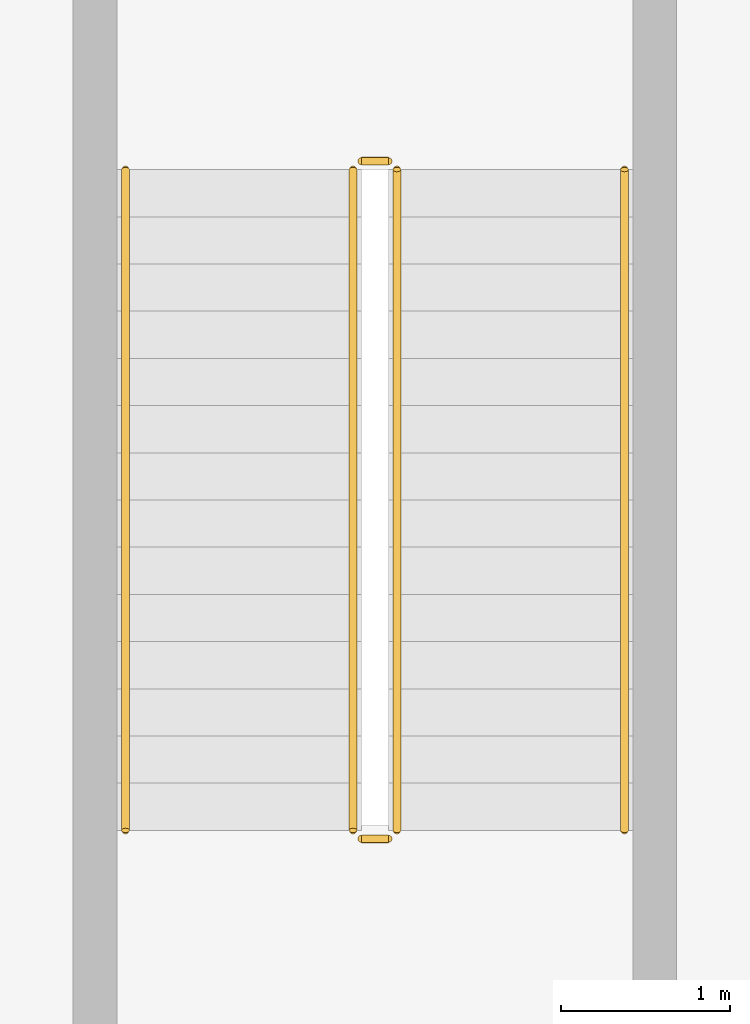
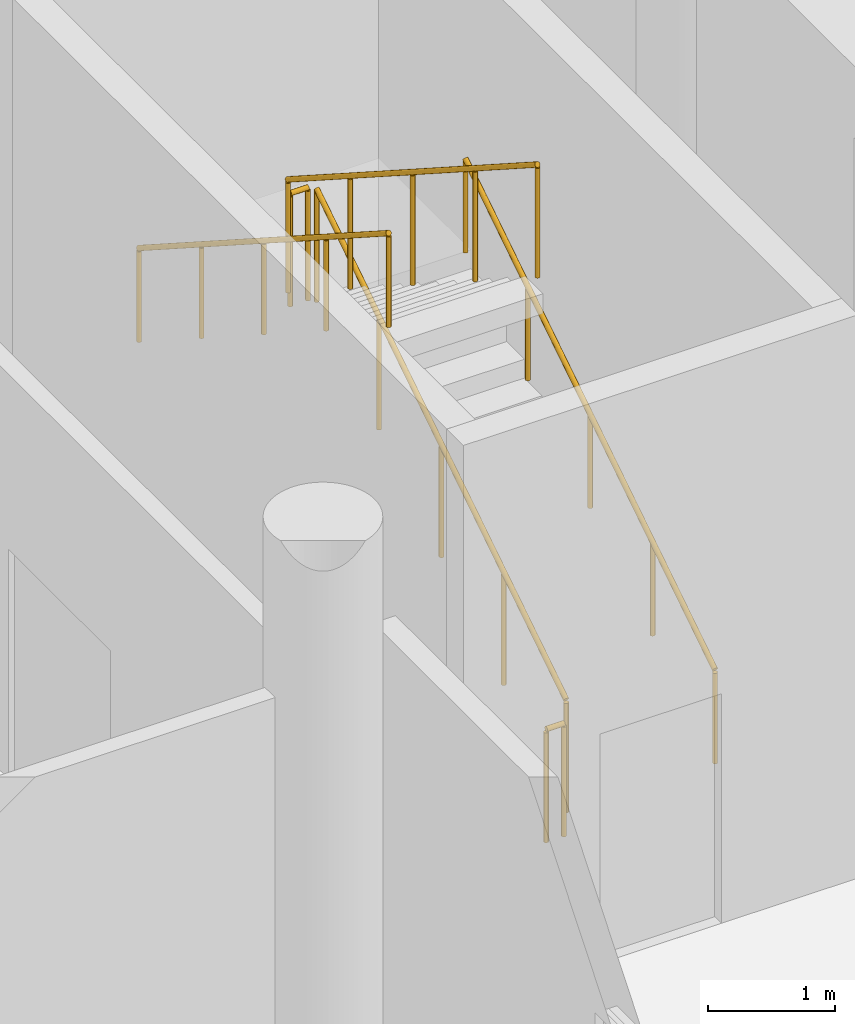
# One storey, part 33 of 42: 6 railings.
"""IFC4 building model written with IfcOpenShell, lengths in metres."""

from ifc_helpers import new_model, si_unit, direction, frame, origin, origin_2d, place, context, subcontext, project, spatial, circle, extrude, material, type_object, element, save


model = new_model("IFC4")

# Units and contexts
model_context = context("Model", 3, precision=1e-05, world=origin(), true_north=direction((0.0, 1.0)))
body_context = subcontext(model_context, "Body", "Model", "MODEL_VIEW")
ifc_project = project(units=[si_unit("LENGTHUNIT", "METRE"), si_unit("AREAUNIT", "SQUARE_METRE"), si_unit("VOLUMEUNIT", "CUBIC_METRE"), si_unit("PLANEANGLEUNIT", "RADIAN"), si_unit("MASSUNIT", "GRAM", prefix="KILO")], contexts=[model_context])

# Site, building, storey
site_placement = place(None, origin())
site = spatial("IfcSite", under=ifc_project, at=site_placement, CompositionType="ELEMENT")
building_placement = place(site_placement, origin())
building = spatial("IfcBuilding", under=site, at=building_placement, Name="Pecanmere Concourse Central Library", CompositionType="ELEMENT")
storey_placement = place(building_placement, origin())
storey = spatial("IfcBuildingStorey", under=building, at=storey_placement, Name="L01", CompositionType="ELEMENT", Elevation=0.0)

# Railings
ifc_material_1 = material(Name="Painted architectural steel ASTM A36", Category="steel")
railing_type_1 = type_object("IfcRailingType", Name="RAIL_STAIR_GUARD", PredefinedType="GUARDRAIL", material=ifc_material_1)
railing_1_placement = place(storey_placement, frame((43.360107421875, 10.0, 0.179931640625)))
element("IfcRailing", 1, at=railing_1_placement, inside=storey, type_object=railing_type_1, Name="L01 ST-07 Guard 1", PredefinedType="GUARDRAIL", context=body_context, shape_type="SweptSolid", body=[
    extrude(circle(Radius=0.02392578125, at=origin_2d()), frame((0.0, 0.0, 1.076171875), z_axis=(0.0, 0.841171666519, 0.540768182723), x_axis=(-1.0, 0.0, 0.0)), (0.0, 0.0, 1.0), 4.66015625),
    extrude(circle(Radius=0.02099609375, at=origin_2d()), origin(), (0.0, 0.0, 1.0), 1.052001953125),
    extrude(circle(Radius=0.02099609375, at=origin_2d()), frame((0.0, 0.97998046875, 0.6298828125)), (0.0, 0.0, 1.0), 1.052001953125),
    extrude(circle(Radius=0.02099609375, at=origin_2d()), frame((0.0, 1.9599609375, 1.260009765625)), (0.0, 0.0, 1.0), 1.052001953125),
    extrude(circle(Radius=0.02099609375, at=origin_2d()), frame((0.0, 2.93994140625, 1.89013671875)), (0.0, 0.0, 1.0), 1.052001953125),
    extrude(circle(Radius=0.02099609375, at=origin_2d()), frame((0.0, 3.919921875, 2.52001953125)), (0.0, 0.0, 1.0), 1.052001953125),
])
railing_2_placement = place(storey_placement, frame((43.31005859375, 13.969970703125, 2.699951171875)))
element("IfcRailing", 2, at=railing_2_placement, inside=storey, type_object=railing_type_1, Name="L01 ST-07 Guard 2", PredefinedType="GUARDRAIL", context=body_context, shape_type="SweptSolid", body=[
    extrude(circle(Radius=0.02392578125, at=origin_2d()), frame((0.0, 0.0, 1.076171875), z_axis=(-1.0, 0.0, 0.0), x_axis=(0.0, -1.0, 0.0)), (0.0, 0.0, 1.0), 0.16015625),
    extrude(circle(Radius=0.02099609375, at=origin_2d()), origin(), (0.0, 0.0, 1.0), 1.052001953125),
    extrude(circle(Radius=0.02099609375, at=origin_2d()), frame((-0.16015625, 0.0, 0.0)), (0.0, 0.0, 1.0), 1.052001953125),
])
railing_3_placement = place(storey_placement, frame((43.10009765625, 13.919921875, 2.8798828125)))
element("IfcRailing", 3, at=railing_3_placement, inside=storey, type_object=railing_type_1, Name="L01 ST-07 Guard 3", PredefinedType="GUARDRAIL", context=body_context, shape_type="SweptSolid", body=[
    extrude(circle(Radius=0.02392578125, at=origin_2d()), frame((0.0, 0.0, 1.076171875), z_axis=(0.0, -0.841171666519, 0.540768182723), x_axis=(1.0, 0.0, 0.0)), (0.0, 0.0, 1.0), 4.66015625),
    extrude(circle(Radius=0.02099609375, at=origin_2d()), origin(), (0.0, 0.0, 1.0), 1.052001953125),
    extrude(circle(Radius=0.02099609375, at=origin_2d()), frame((0.0, -0.97998046875, 0.6298828125)), (0.0, 0.0, 1.0), 1.052001953125),
    extrude(circle(Radius=0.02099609375, at=origin_2d()), frame((0.0, -1.9599609375, 1.260009765625)), (0.0, 0.0, 1.0), 1.052001953125),
    extrude(circle(Radius=0.02099609375, at=origin_2d()), frame((0.0, -2.93994140625, 1.89013671875)), (0.0, 0.0, 1.0), 1.052001953125),
    extrude(circle(Radius=0.02099609375, at=origin_2d()), frame((0.0, -3.919921875, 2.52001953125)), (0.0, 0.0, 1.0), 1.052001953125),
])
railing_4_placement = place(storey_placement, frame((43.31005859375, 9.949951171875, 0.0)))
element("IfcRailing", 4, at=railing_4_placement, inside=storey, type_object=railing_type_1, Name="L01 ST-07 Guard 4", PredefinedType="GUARDRAIL", context=body_context, shape_type="SweptSolid", body=[
    extrude(circle(Radius=0.02392578125, at=origin_2d()), frame((0.0, 0.0, 1.076171875), z_axis=(-1.0, 0.0, 0.0), x_axis=(0.0, -1.0, 0.0)), (0.0, 0.0, 1.0), 0.16015625),
    extrude(circle(Radius=0.02099609375, at=origin_2d()), origin(), (0.0, 0.0, 1.0), 1.052001953125),
    extrude(circle(Radius=0.02099609375, at=origin_2d()), frame((-0.16015625, 0.0, 0.0)), (0.0, 0.0, 1.0), 1.052001953125),
])
ifc_material_2 = material(Name="Brushed stainless steel Grade 316", Category="steel")
railing_type_2 = type_object("IfcRailingType", Name="RAIL_STAIR_HR", PredefinedType="HANDRAIL", material=ifc_material_2)
railing_5_placement = place(storey_placement, frame((44.7099609375, 10.0, 0.179931640625)))
element("IfcRailing", 5, at=railing_5_placement, inside=storey, type_object=railing_type_2, Name="L01 ST-07 Handrail 1", PredefinedType="HANDRAIL", context=body_context, shape_type="SweptSolid", body=[
    extrude(circle(Radius=0.02392578125, at=origin_2d()), frame((0.0, 0.0, 0.89111328125), z_axis=(0.0, 0.841171666519, 0.540768182723), x_axis=(-1.0, 0.0, 0.0)), (0.0, 0.0, 1.0), 4.66015625),
    extrude(circle(Radius=0.02099609375, at=origin_2d()), origin(), (0.0, 0.0, 1.0), 0.866943359375),
    extrude(circle(Radius=0.02099609375, at=origin_2d()), frame((0.0, 0.97998046875, 0.6298828125)), (0.0, 0.0, 1.0), 0.866943359375),
    extrude(circle(Radius=0.02099609375, at=origin_2d()), frame((0.0, 1.9599609375, 1.260009765625)), (0.0, 0.0, 1.0), 0.866943359375),
    extrude(circle(Radius=0.02099609375, at=origin_2d()), frame((0.0, 2.93994140625, 1.89013671875)), (0.0, 0.0, 1.0), 0.866943359375),
    extrude(circle(Radius=0.02099609375, at=origin_2d()), frame((0.0, 3.919921875, 2.52001953125)), (0.0, 0.0, 1.0), 0.866943359375),
])
railing_6_placement = place(storey_placement, frame((41.75, 13.919921875, 2.8798828125)))
element("IfcRailing", 6, at=railing_6_placement, inside=storey, type_object=railing_type_2, Name="L01 ST-07 Handrail 2", PredefinedType="HANDRAIL", context=body_context, shape_type="SweptSolid", body=[
    extrude(circle(Radius=0.02392578125, at=origin_2d()), frame((0.0, 0.0, 0.89111328125), z_axis=(0.0, -0.841171666519, 0.540768182723), x_axis=(1.0, 0.0, 0.0)), (0.0, 0.0, 1.0), 4.66015625),
    extrude(circle(Radius=0.02099609375, at=origin_2d()), origin(), (0.0, 0.0, 1.0), 0.866943359375),
    extrude(circle(Radius=0.02099609375, at=origin_2d()), frame((0.0, -0.97998046875, 0.6298828125)), (0.0, 0.0, 1.0), 0.866943359375),
    extrude(circle(Radius=0.02099609375, at=origin_2d()), frame((0.0, -1.9599609375, 1.260009765625)), (0.0, 0.0, 1.0), 0.866943359375),
    extrude(circle(Radius=0.02099609375, at=origin_2d()), frame((0.0, -2.93994140625, 1.89013671875)), (0.0, 0.0, 1.0), 0.866943359375),
    extrude(circle(Radius=0.02099609375, at=origin_2d()), frame((0.0, -3.919921875, 2.52001953125)), (0.0, 0.0, 1.0), 0.866943359375),
])

save(model, "model.ifc")
